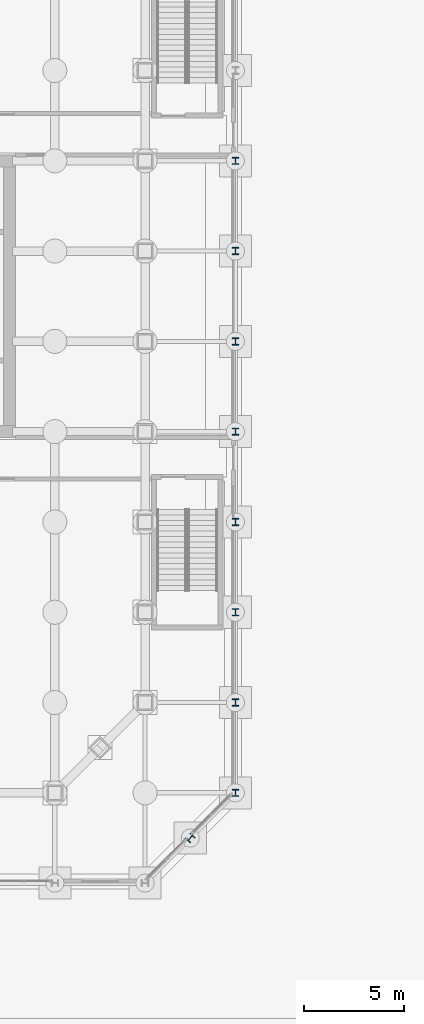
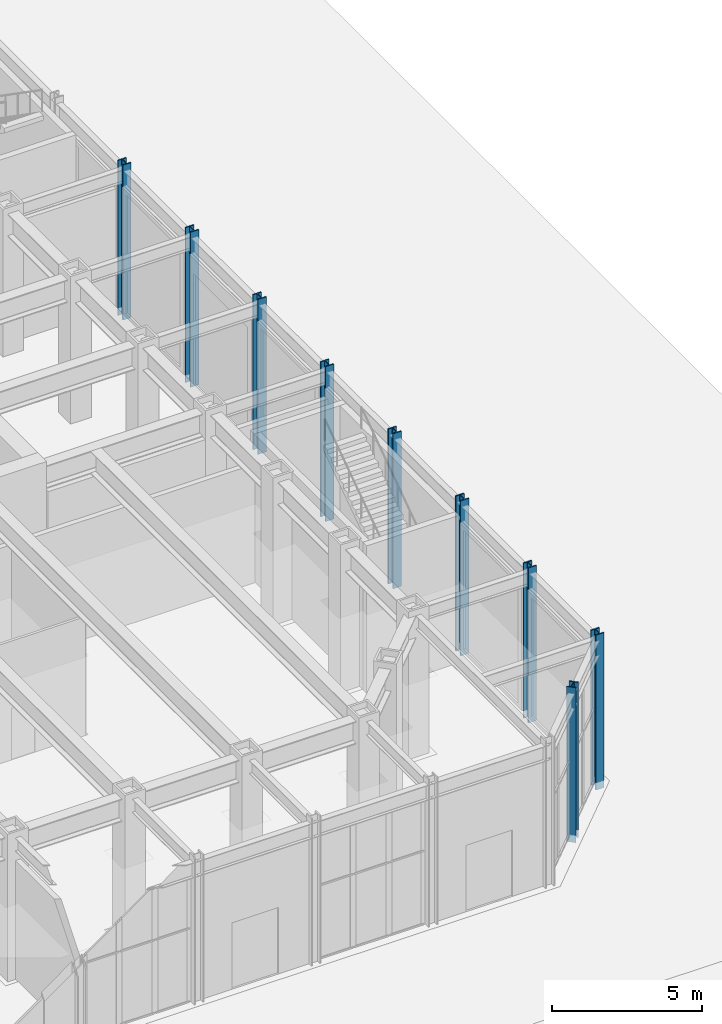
# One storey, part 3 of 39: 9 columns.
"""IFC4 building model written with IfcOpenShell, lengths in metres."""

from ifc_helpers import new_model, si_unit, direction, frame, origin, origin_2d, place, context, subcontext, project, spatial, i_section, extrude, material, material_profile, profile_set, type_object, element, save


model = new_model("IFC4")

# Units and contexts
model_context = context("Model", 3, precision=1e-05, world=origin(), true_north=direction((0.0, 1.0)))
body_context = subcontext(model_context, "Body", "Model", "MODEL_VIEW")
ifc_project = project(units=[si_unit("LENGTHUNIT", "METRE"), si_unit("AREAUNIT", "SQUARE_METRE"), si_unit("VOLUMEUNIT", "CUBIC_METRE"), si_unit("PLANEANGLEUNIT", "RADIAN"), si_unit("MASSUNIT", "GRAM", prefix="KILO")], contexts=[model_context])

# Site, building, storey
site_placement = place(None, origin())
site = spatial("IfcSite", under=ifc_project, at=site_placement, CompositionType="ELEMENT")
building_placement = place(site_placement, origin())
building = spatial("IfcBuilding", under=site, at=building_placement, Name="Msasa Ring Tower", CompositionType="ELEMENT")
storey_placement = place(building_placement, origin())
storey = spatial("IfcBuildingStorey", under=building, at=storey_placement, Name="L00", CompositionType="ELEMENT", Elevation=0.0)

# Columns
ifc_material = material(Name="Steel S355", Category="steel")
ifc_material_profile = material_profile(ifc_material, i_section(OverallWidth=0.322265625, OverallDepth=0.365234375, WebThickness=0.02685546875, FlangeThickness=0.044189453125, FilletRadius=0.01513671875, at=origin_2d()), Name="UC 305x305x283")
ifc_profile_set = profile_set([ifc_material_profile], Name="Steel S355")
column_type = type_object("IfcColumnType", Name="PC1 UC 305x305x283", PredefinedType="COLUMN", material=ifc_profile_set)
for number, where, z_axis, x_axis, name in (
    (1, (29.25, -24.75, -0.300048828125), (0.0, 0.0, 1.0), (1.0, 0.0, 0.0), "Podium column E-24.75 L00"),
    (2, (29.25, -20.25, -0.300048828125), (0.0, 0.0, 1.0), (1.0, 0.0, 0.0), "Podium column E-20.25 L00"),
    (3, (29.25, -15.75, -0.300048828125), (0.0, 0.0, 1.0), (1.0, 0.0, 0.0), "Podium column E-15.75 L00"),
    (4, (29.25, -11.25, -0.300048828125), (0.0, 0.0, 1.0), (1.0, 0.0, 0.0), "Podium column E-11.25 L00"),
    (5, (29.25, -6.75, -0.300048828125), (0.0, 0.0, 1.0), (1.0, 0.0, 0.0), "Podium column E-6.75 L00"),
    (6, (29.25, -2.25, -0.300048828125), (0.0, 0.0, 1.0), (1.0, 0.0, 0.0), "Podium column E-2.25 L00"),
    (7, (29.25, 2.25, -0.300048828125), (0.0, 0.0, 1.0), (1.0, 0.0, 0.0), "Podium column E+2.25 L00"),
    (8, (29.25, 6.75, -0.300048828125), (0.0, 0.0, 1.0), (1.0, 0.0, 0.0), "Podium column E+6.75 L00"),
    (9, (27.0, -27.0, -0.300048828125), (0.0, 0.0, 1.0), (0.707106781187, -0.707106781187, 0.0), "Podium column SE L00"),
):
    element("IfcColumn", number, at=place(storey_placement, frame(where, z_axis=z_axis, x_axis=x_axis)), inside=storey, type_object=column_type, Name=name, PredefinedType="COLUMN", context=body_context, shape_type="SweptSolid", body=[
        extrude(i_section(OverallWidth=0.322265625, OverallDepth=0.365234375, WebThickness=0.02685546875, FlangeThickness=0.044189453125, FilletRadius=0.01513671875, at=origin_2d()), origin(), (0.0, 0.0, 1.0), 6.300048828125),
    ])

save(model, "model.ifc")
